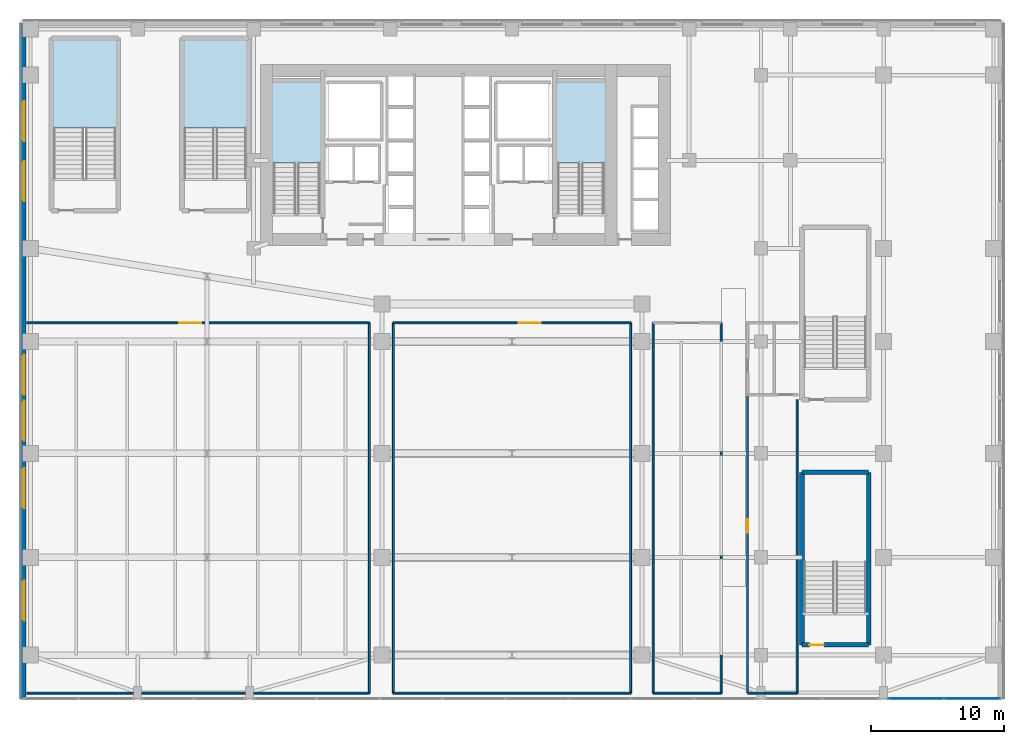
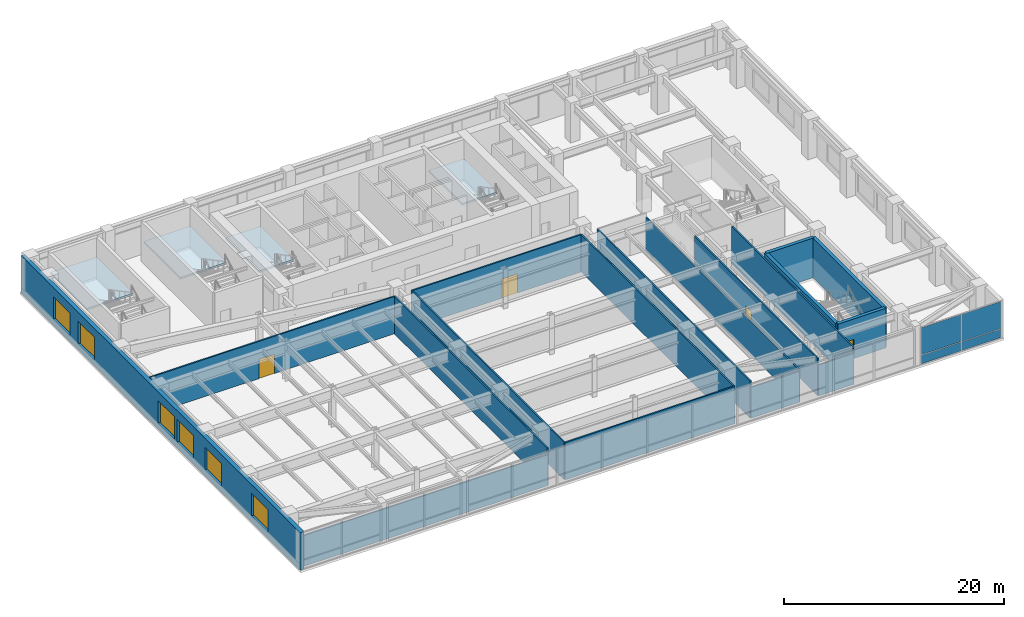
# One storey, part 18 of 27: 18 walls, 6 windows, 4 doors, 4 plates, 4 slabs, 10 openings, 5 elements without a shape of their own.
"""IFC4 building model written with IfcOpenShell, lengths in metres."""

from ifc_helpers import new_model, si_unit, direction, frame, frame_2d, origin, origin_2d, place, context, subcontext, project, spatial, polyline, rectangle, outline, extrude, source, transform, mapped, material, layer, layer_set, type_object, type_shapes, element, fill, aggregate, save


model = new_model("IFC4")

# Units and contexts
model_context = context("Model", 3, precision=1e-05, world=origin(), true_north=direction((0.0, 1.0)))
body_context = subcontext(model_context, "Body", "Model", "MODEL_VIEW")
ifc_project = project(units=[si_unit("LENGTHUNIT", "METRE"), si_unit("AREAUNIT", "SQUARE_METRE"), si_unit("VOLUMEUNIT", "CUBIC_METRE"), si_unit("PLANEANGLEUNIT", "RADIAN"), si_unit("MASSUNIT", "GRAM", prefix="KILO")], contexts=[model_context])

# Site, building, storey
site_placement = place(None, origin())
site = spatial("IfcSite", under=ifc_project, at=site_placement, CompositionType="ELEMENT")
building_placement = place(site_placement, origin())
building = spatial("IfcBuilding", under=site, at=building_placement, Name="Tolvann Quenvar Hotel", CompositionType="ELEMENT")
storey_placement = place(building_placement, frame((0.0, 0.0, 22.39990234375)))
storey = spatial("IfcBuildingStorey", under=building, at=storey_placement, Name="L04", CompositionType="ELEMENT", Elevation=22.39990234375)

# Stair, slab
ifc_material_1 = material(Name="Concrete N40 (40 MPa)", Category="concrete")
stair_type = type_object("IfcStairType", Name="STAIR", PredefinedType="HALF_TURN_STAIR", material=ifc_material_1)
stair_1_placement = place(storey_placement, origin())
stair_1 = element("IfcStair", 1, at=stair_1_placement, inside=storey, type_object=stair_type, Name="L04 ST-C1", PredefinedType="HALF_TURN_STAIR")
ifc_layer_1 = layer(ifc_material_1, 0.199951171875)
ifc_layer_set_1 = layer_set([ifc_layer_1], Name="Concrete N40 (40 MPa)")
slab_type = type_object("IfcSlabType", Name="SLAB_LANDING", PredefinedType="LANDING", material=ifc_layer_set_1)
slab_1_placement = place(storey_placement, frame((0.0, 0.0, 2.0)))
slab_1 = element("IfcSlab", 2, at=slab_1_placement, type_object=slab_type, Name="ST-C1 landing 1", PredefinedType="LANDING", context=body_context, shape_type="SweptSolid", body=[
    extrude(outline(polyline([(14.179931640625, 37.794921875), (14.179931640625, 43.8798828125), (10.469970703125, 43.8798828125), (10.469970703125, 37.794921875), (14.179931640625, 37.794921875)])), origin(), (0.0, 0.0, 1.0), 0.2001953125),
])
aggregate(stair_1, [slab_1])

stair_2_placement = place(storey_placement, origin())
stair_2 = element("IfcStair", 3, at=stair_2_placement, inside=storey, type_object=stair_type, Name="L04 ST-C2", PredefinedType="HALF_TURN_STAIR")
slab_2_placement = place(storey_placement, frame((0.0, 0.0, 2.0)))
slab_2 = element("IfcSlab", 4, at=slab_2_placement, type_object=slab_type, Name="ST-C2 landing 1", PredefinedType="LANDING", context=body_context, shape_type="SweptSolid", body=[
    extrude(outline(polyline([(35.530029296875, 37.794921875), (35.530029296875, 43.8798828125), (31.820068359375, 43.8798828125), (31.820068359375, 37.794921875), (35.530029296875, 37.794921875)])), origin(), (0.0, 0.0, 1.0), 0.2001953125),
])
aggregate(stair_2, [slab_2])

stair_3_placement = place(storey_placement, origin())
stair_3 = element("IfcStair", 5, at=stair_3_placement, inside=storey, type_object=stair_type, Name="L04 ST-P1", PredefinedType="HALF_TURN_STAIR")
slab_3_placement = place(storey_placement, frame((0.0, 0.0, 2.0)))
slab_3 = element("IfcSlab", 6, at=slab_3_placement, type_object=slab_type, Name="ST-P1 landing 1", PredefinedType="LANDING", context=body_context, shape_type="SweptSolid", body=[
    extrude(outline(polyline([(-1.1201171875, 40.445068359375), (-1.1201171875, 47.080078125), (-6.030029296875, 47.080078125), (-6.030029296875, 40.445068359375), (-1.1201171875, 40.445068359375)])), origin(), (0.0, 0.0, 1.0), 0.2001953125),
])
aggregate(stair_3, [slab_3])

stair_4_placement = place(storey_placement, origin())
stair_4 = element("IfcStair", 7, at=stair_4_placement, inside=storey, type_object=stair_type, Name="L04 ST-P2", PredefinedType="HALF_TURN_STAIR")
slab_4_placement = place(storey_placement, frame((0.0, 0.0, 2.0)))
slab_4 = element("IfcSlab", 8, at=slab_4_placement, type_object=slab_type, Name="ST-P2 landing 1", PredefinedType="LANDING", context=body_context, shape_type="SweptSolid", body=[
    extrude(outline(polyline([(8.679931640625, 40.445068359375), (8.679931640625, 47.080078125), (3.77001953125, 47.080078125), (3.77001953125, 40.445068359375), (8.679931640625, 40.445068359375)])), origin(), (0.0, 0.0, 1.0), 0.2001953125),
])
aggregate(stair_4, [slab_4])

# Curtain wall, plates
ifc_material_2 = material(Name="Thermally broken anodised architectural aluminium 6063-T6 and laminated low-E glass", Category="aluminium")
ifc_layer_2 = layer(ifc_material_2, 0.179931640625)
ifc_layer_set_2 = layer_set([ifc_layer_2], Name="Thermally broken anodised architectural aluminium 6063-T6 and laminated low-E glass")
curtain_wall_type = type_object("IfcCurtainWallType", Name="CW_SYS_BALL_02", PredefinedType="USERDEFINED", material=ifc_layer_set_2)
curtain_wall_placement = place(storey_placement, origin())
curtain_wall = element("IfcCurtainWall", 9, at=curtain_wall_placement, inside=storey, type_object=curtain_wall_type, Name="Curtain Wall CW-BALL-02 (CWR-L04-E04-S5)", ObjectType="UNITISED CURTAIN WALL", PredefinedType="USERDEFINED")
ifc_material_3 = material(Name="Low-iron laminated double glazing with solar-control coating", Category="glass")
ifc_layer_3 = layer(ifc_material_3, 0.028076171875)
ifc_layer_set_3 = layer_set([ifc_layer_3], Name="Low-iron laminated double glazing with solar-control coating")
plate_type = type_object("IfcPlateType", Name="CW_PAN_VISION_28", PredefinedType="CURTAIN_PANEL", material=ifc_layer_set_3)
shared_shape_1 = source(origin(), body_context, "Body", "SweptSolid", [
    extrude(rectangle(XDim=4.137939453125, YDim=0.028076171875, at=origin_2d()), origin(), (0.0, 0.0, 1.0), 0.9599609375),
])
plate_1_placement = place(storey_placement, frame((58.843017578125, -2.409912109375, 0.06005859375), z_axis=(0.0, 0.0, 1.0), x_axis=(1.0, 0.0, 0.0)))
plate_1 = element("IfcPlate", 10, at=plate_1_placement, type_object=plate_type, Name="CW-BALL-02 panel 1.1", PredefinedType="CURTAIN_PANEL", context=body_context, shape_type="MappedRepresentation", body=[
    mapped(shared_shape_1, transform((0.0, 0.0, 0.0), x_axis=(1.0, 0.0, 0.0), y_axis=(0.0, 1.0, 0.0), z_axis=(0.0, 0.0, 1.0), scale=1.0)),
])
plate_2_placement = place(storey_placement, frame((63.051025390625, -2.409912109375, 0.06005859375), z_axis=(0.0, 0.0, 1.0), x_axis=(1.0, 0.0, 0.0)))
plate_2 = element("IfcPlate", 11, at=plate_2_placement, type_object=plate_type, Name="CW-BALL-02 panel 2.1", PredefinedType="CURTAIN_PANEL", context=body_context, shape_type="MappedRepresentation", body=[
    mapped(shared_shape_1, transform((0.0, 0.0, 0.0), x_axis=(1.0, 0.0, 0.0), y_axis=(0.0, 1.0, 0.0), z_axis=(0.0, 0.0, 1.0), scale=1.0)),
])
shared_shape_2 = source(origin(), body_context, "Body", "SweptSolid", [
    extrude(rectangle(XDim=4.137939453125, YDim=0.028076171875, at=origin_2d()), origin(), (0.0, 0.0, 1.0), 3.0),
])
type_shapes(plate_type, [shared_shape_1, shared_shape_2])
plate_3_placement = place(storey_placement, frame((58.843017578125, -2.409912109375, 1.080078125), z_axis=(0.0, 0.0, 1.0), x_axis=(1.0, 0.0, 0.0)))
plate_3 = element("IfcPlate", 12, at=plate_3_placement, type_object=plate_type, Name="CW-BALL-02 panel 1.2", PredefinedType="CURTAIN_PANEL", context=body_context, shape_type="MappedRepresentation", body=[
    mapped(shared_shape_2, transform((0.0, 0.0, 0.0), x_axis=(1.0, 0.0, 0.0), y_axis=(0.0, 1.0, 0.0), z_axis=(0.0, 0.0, 1.0), scale=1.0)),
])
plate_4_placement = place(storey_placement, frame((63.051025390625, -2.409912109375, 1.080078125), z_axis=(0.0, 0.0, 1.0), x_axis=(1.0, 0.0, 0.0)))
plate_4 = element("IfcPlate", 13, at=plate_4_placement, type_object=plate_type, Name="CW-BALL-02 panel 2.2", PredefinedType="CURTAIN_PANEL", context=body_context, shape_type="MappedRepresentation", body=[
    mapped(shared_shape_2, transform((0.0, 0.0, 0.0), x_axis=(1.0, 0.0, 0.0), y_axis=(0.0, 1.0, 0.0), z_axis=(0.0, 0.0, 1.0), scale=1.0)),
])
aggregate(curtain_wall, [plate_1, plate_3, plate_2, plate_4])

# Wall, opening, door
ifc_material_4 = material(Name="Concrete S65 (65 MPa)", Category="concrete")
ifc_layer_4 = layer(ifc_material_4, 0.35009765625)
ifc_layer_set_4 = layer_set([ifc_layer_4], Name="Concrete S65 (65 MPa)")
wall_type_1 = type_object("IfcWallType", Name="WALL_CORE_INT_350", PredefinedType="SHEAR", material=ifc_layer_set_4)
wall_1_placement = place(storey_placement, frame((50.27490234375, 1.625, 0.0), z_axis=(0.0, 0.0, 1.0), x_axis=(1.0, 0.0, 0.0)))
wall_1 = element("IfcWall", 14, at=wall_1_placement, inside=storey, type_object=wall_type_1, Name="Stairwell ST-P3 Structural Shaft Wall S (L04)", PredefinedType="SHEAR", context=body_context, shape_type="SweptSolid", body=[
    extrude(rectangle(XDim=5.0, YDim=0.35009765625, at=frame_2d((2.5, 0.0))), origin(), (0.0, 0.0, 1.0), 4.400146484375),
])
opening_1_placement = place(wall_1_placement, frame((0.550048828125, 0.0, 0.0)))
opening_1 = element("IfcOpeningElement", 15, at=opening_1_placement, cuts=wall_1, Name="Opening FD-120", PredefinedType="OPENING", context=body_context, shape_type="SweptSolid", body=[
    extrude(rectangle(XDim=1.10009765625, YDim=2.1201171875, at=frame_2d((0.550048828125, 1.06005859375))), frame((0.0, 0.18505859375, 0.0), z_axis=(0.0, -1.0, 0.0), x_axis=(1.0, 0.0, 0.0)), (0.0, 0.0, 1.0), 0.3701171875),
])
ifc_material_5 = material(Name="Pressed galvanised steel fire-rated door set", Category="steel")
door_type_1 = type_object("IfcDoorType", Name="DOOR_FIRE_STAIR_1100", OperationType="NOTDEFINED", PredefinedType="DOOR", material=ifc_material_5)
shared_shape_3 = source(origin(), body_context, "Body", "SweptSolid", [
    extrude(rectangle(XDim=1.10009765625, YDim=2.1201171875, at=frame_2d((0.550048828125, 1.06005859375))), frame((0.0, 0.02490234375, 0.0), z_axis=(0.0, -1.0, 0.0), x_axis=(1.0, 0.0, 0.0)), (0.0, 0.0, 1.0), 0.050048828125),
])
type_shapes(door_type_1, [shared_shape_3])
door_1_placement = place(opening_1_placement, origin())
door_1 = element("IfcDoor", 16, at=door_1_placement, inside=storey, type_object=door_type_1, Name="Exit Stair ST-P3 Fire Door (L04)", OperationType="SINGLE_SWING_RIGHT", OverallHeight=2.1201171875, OverallWidth=1.10009765625, PredefinedType="DOOR", context=body_context, shape_type="MappedRepresentation", body=[
    mapped(shared_shape_3, transform((0.0, 0.0, 0.0), x_axis=(1.0, 0.0, 0.0), y_axis=(0.0, 1.0, 0.0), z_axis=(0.0, 0.0, 1.0), scale=1.0)),
])
fill(opening_1, door_1)

# Walls
wall_2_placement = place(storey_placement, frame((55.27490234375, 1.625, 0.0), z_axis=(0.0, 0.0, 1.0), x_axis=(0.0, 1.0, 0.0)))
element("IfcWall", 17, at=wall_2_placement, inside=storey, type_object=wall_type_1, Name="Stairwell ST-P3 Structural Shaft Wall E (L04)", PredefinedType="SHEAR", context=body_context, shape_type="SweptSolid", body=[
    extrude(rectangle(XDim=12.949951171875, YDim=0.35009765625, at=frame_2d((6.47509765625, 0.0))), origin(), (0.0, 0.0, 1.0), 4.400146484375),
])
wall_3_placement = place(storey_placement, frame((55.27490234375, 14.574951171875, 0.0), z_axis=(0.0, 0.0, 1.0), x_axis=(-1.0, 0.0, 0.0)))
element("IfcWall", 18, at=wall_3_placement, inside=storey, type_object=wall_type_1, Name="Stairwell ST-P3 Structural Shaft Wall N (L04)", PredefinedType="SHEAR", context=body_context, shape_type="SweptSolid", body=[
    extrude(rectangle(XDim=5.0, YDim=0.35009765625, at=frame_2d((2.5, 0.0))), origin(), (0.0, 0.0, 1.0), 4.400146484375),
])
wall_4_placement = place(storey_placement, frame((50.27490234375, 14.574951171875, 0.0), z_axis=(0.0, 0.0, 1.0), x_axis=(0.0, -1.0, 0.0)))
element("IfcWall", 19, at=wall_4_placement, inside=storey, type_object=wall_type_1, Name="Stairwell ST-P3 Structural Shaft Wall W (L04)", PredefinedType="SHEAR", context=body_context, shape_type="SweptSolid", body=[
    extrude(rectangle(XDim=12.949951171875, YDim=0.35009765625, at=frame_2d((6.47509765625, 0.0))), origin(), (0.0, 0.0, 1.0), 4.400146484375),
])

# Wall, openings, windows
ifc_material_6 = material(Name="Kiln-fired red and buff architectural clay brickwork and terracotta masonry", Category="masonry")
ifc_layer_5 = layer(ifc_material_6, 0.419921875)
ifc_layer_set_5 = layer_set([ifc_layer_5], Name="Kiln-fired red and buff architectural clay brickwork and terracotta masonry")
wall_type_2 = type_object("IfcWallType", Name="WALL_EXT_POD_420", PredefinedType="SOLIDWALL", material=ifc_layer_set_5)
wall_5_placement = place(storey_placement, frame((-8.18994140625, 48.2900390625, 0.0), z_axis=(0.0, 0.0, 1.0), x_axis=(0.0, -1.0, 0.0)))
wall_5 = element("IfcWall", 20, at=wall_5_placement, inside=storey, type_object=wall_type_2, Name="Exterior Chicago Brick Wall L04-E03", PredefinedType="SOLIDWALL", context=body_context, shape_type="SweptSolid", body=[
    extrude(rectangle(XDim=50.699951171875, YDim=0.419921875, at=frame_2d((25.35009765625, 0.0))), origin(), (0.0, 0.0, 1.0), 4.14013671875),
])
opening_2_placement = place(wall_5_placement, frame((5.85009765625, 0.0, 0.64990234375)))
opening_2 = element("IfcOpeningElement", 21, at=opening_2_placement, cuts=wall_5, Name="Opening W-05", PredefinedType="OPENING", context=body_context, shape_type="SweptSolid", body=[
    extrude(rectangle(XDim=3.0, YDim=2.5, at=frame_2d((1.5, 1.25))), frame((0.0, 0.219970703125, 0.0), z_axis=(0.0, -1.0, 0.0), x_axis=(1.0, 0.0, 0.0)), (0.0, 0.0, 1.0), 0.43994140625),
])
opening_3_placement = place(wall_5_placement, frame((10.35009765625, 0.0, 0.64990234375)))
opening_3 = element("IfcOpeningElement", 22, at=opening_3_placement, cuts=wall_5, Name="Opening W-05", PredefinedType="OPENING", context=body_context, shape_type="SweptSolid", body=[
    extrude(rectangle(XDim=3.0, YDim=2.5, at=frame_2d((1.5, 1.25))), frame((0.0, 0.219970703125, 0.0), z_axis=(0.0, -1.0, 0.0), x_axis=(1.0, 0.0, 0.0)), (0.0, 0.0, 1.0), 0.43994140625),
])
opening_4_placement = place(wall_5_placement, frame((24.89990234375, 0.0, 0.64990234375)))
opening_4 = element("IfcOpeningElement", 23, at=opening_4_placement, cuts=wall_5, Name="Opening W-05", PredefinedType="OPENING", context=body_context, shape_type="SweptSolid", body=[
    extrude(rectangle(XDim=3.0, YDim=2.5, at=frame_2d((1.5, 1.25))), frame((0.0, 0.219970703125, 0.0), z_axis=(0.0, -1.0, 0.0), x_axis=(1.0, 0.0, 0.0)), (0.0, 0.0, 1.0), 0.43994140625),
])
opening_5_placement = place(wall_5_placement, frame((28.35009765625, 0.0, 0.64990234375)))
opening_5 = element("IfcOpeningElement", 24, at=opening_5_placement, cuts=wall_5, Name="Opening W-05", PredefinedType="OPENING", context=body_context, shape_type="SweptSolid", body=[
    extrude(rectangle(XDim=3.0, YDim=2.5, at=frame_2d((1.5, 1.25))), frame((0.0, 0.219970703125, 0.0), z_axis=(0.0, -1.0, 0.0), x_axis=(1.0, 0.0, 0.0)), (0.0, 0.0, 1.0), 0.43994140625),
])
opening_6_placement = place(wall_5_placement, frame((33.39990234375, 0.0, 0.64990234375)))
opening_6 = element("IfcOpeningElement", 25, at=opening_6_placement, cuts=wall_5, Name="Opening W-05", PredefinedType="OPENING", context=body_context, shape_type="SweptSolid", body=[
    extrude(rectangle(XDim=3.0, YDim=2.5, at=frame_2d((1.5, 1.25))), frame((0.0, 0.219970703125, 0.0), z_axis=(0.0, -1.0, 0.0), x_axis=(1.0, 0.0, 0.0)), (0.0, 0.0, 1.0), 0.43994140625),
])
opening_7_placement = place(wall_5_placement, frame((41.85009765625, 0.0, 0.64990234375)))
opening_7 = element("IfcOpeningElement", 26, at=opening_7_placement, cuts=wall_5, Name="Opening W-05", PredefinedType="OPENING", context=body_context, shape_type="SweptSolid", body=[
    extrude(rectangle(XDim=3.0, YDim=2.5, at=frame_2d((1.5, 1.25))), frame((0.0, 0.219970703125, 0.0), z_axis=(0.0, -1.0, 0.0), x_axis=(1.0, 0.0, 0.0)), (0.0, 0.0, 1.0), 0.43994140625),
])
ifc_material_7 = material(Name="Thermally broken bronze-anodised aluminium frame with double low-E glazing", Category="aluminium")
window_type = type_object("IfcWindowType", Name="WIN_POD_3000x2600", PartitioningType="TRIPLE_PANEL_HORIZONTAL", PredefinedType="WINDOW", material=ifc_material_7)
shared_shape_4 = source(origin(), body_context, "Body", "SweptSolid", [
    extrude(rectangle(XDim=3.0, YDim=2.5, at=frame_2d((1.5, 1.25))), frame((0.0, 0.090087890625, 0.0), z_axis=(0.0, -1.0, 0.0), x_axis=(1.0, 0.0, 0.0)), (0.0, 0.0, 1.0), 0.06005859375),
])
type_shapes(window_type, [shared_shape_4])
window_1_placement = place(opening_2_placement, origin())
window_1 = element("IfcWindow", 27, at=window_1_placement, inside=storey, type_object=window_type, Name="Chicago Window W-05 (EW-L04-E03-W01)", OverallHeight=2.5, OverallWidth=3.0, PartitioningType="TRIPLE_PANEL_HORIZONTAL", PredefinedType="WINDOW", context=body_context, shape_type="MappedRepresentation", body=[
    mapped(shared_shape_4, transform((0.0, 0.0, 0.0), x_axis=(1.0, 0.0, 0.0), y_axis=(0.0, 1.0, 0.0), z_axis=(0.0, 0.0, 1.0), scale=1.0)),
])
fill(opening_2, window_1)
window_2_placement = place(opening_3_placement, origin())
window_2 = element("IfcWindow", 28, at=window_2_placement, inside=storey, type_object=window_type, Name="Chicago Window W-05 (EW-L04-E03-W02)", OverallHeight=2.5, OverallWidth=3.0, PartitioningType="TRIPLE_PANEL_HORIZONTAL", PredefinedType="WINDOW", context=body_context, shape_type="MappedRepresentation", body=[
    mapped(shared_shape_4, transform((0.0, 0.0, 0.0), x_axis=(1.0, 0.0, 0.0), y_axis=(0.0, 1.0, 0.0), z_axis=(0.0, 0.0, 1.0), scale=1.0)),
])
fill(opening_3, window_2)
window_3_placement = place(opening_4_placement, origin())
window_3 = element("IfcWindow", 29, at=window_3_placement, inside=storey, type_object=window_type, Name="Chicago Window W-05 (EW-L04-E03-W03)", OverallHeight=2.5, OverallWidth=3.0, PartitioningType="TRIPLE_PANEL_HORIZONTAL", PredefinedType="WINDOW", context=body_context, shape_type="MappedRepresentation", body=[
    mapped(shared_shape_4, transform((0.0, 0.0, 0.0), x_axis=(1.0, 0.0, 0.0), y_axis=(0.0, 1.0, 0.0), z_axis=(0.0, 0.0, 1.0), scale=1.0)),
])
fill(opening_4, window_3)
window_4_placement = place(opening_5_placement, origin())
window_4 = element("IfcWindow", 30, at=window_4_placement, inside=storey, type_object=window_type, Name="Chicago Window W-05 (EW-L04-E03-W04)", OverallHeight=2.5, OverallWidth=3.0, PartitioningType="TRIPLE_PANEL_HORIZONTAL", PredefinedType="WINDOW", context=body_context, shape_type="MappedRepresentation", body=[
    mapped(shared_shape_4, transform((0.0, 0.0, 0.0), x_axis=(1.0, 0.0, 0.0), y_axis=(0.0, 1.0, 0.0), z_axis=(0.0, 0.0, 1.0), scale=1.0)),
])
fill(opening_5, window_4)
window_5_placement = place(opening_6_placement, origin())
window_5 = element("IfcWindow", 31, at=window_5_placement, inside=storey, type_object=window_type, Name="Chicago Window W-05 (EW-L04-E03-W05)", OverallHeight=2.5, OverallWidth=3.0, PartitioningType="TRIPLE_PANEL_HORIZONTAL", PredefinedType="WINDOW", context=body_context, shape_type="MappedRepresentation", body=[
    mapped(shared_shape_4, transform((0.0, 0.0, 0.0), x_axis=(1.0, 0.0, 0.0), y_axis=(0.0, 1.0, 0.0), z_axis=(0.0, 0.0, 1.0), scale=1.0)),
])
fill(opening_6, window_5)
window_6_placement = place(opening_7_placement, origin())
window_6 = element("IfcWindow", 32, at=window_6_placement, inside=storey, type_object=window_type, Name="Chicago Window W-05 (EW-L04-E03-W06)", OverallHeight=2.5, OverallWidth=3.0, PartitioningType="TRIPLE_PANEL_HORIZONTAL", PredefinedType="WINDOW", context=body_context, shape_type="MappedRepresentation", body=[
    mapped(shared_shape_4, transform((0.0, 0.0, 0.0), x_axis=(1.0, 0.0, 0.0), y_axis=(0.0, 1.0, 0.0), z_axis=(0.0, 0.0, 1.0), scale=1.0)),
])
fill(opening_7, window_6)

# Wall
ifc_material_8 = material(Name="Acoustic twin-stud fire-rated gypsum plasterboard partition")
ifc_layer_6 = layer(ifc_material_8, 0.14990234375)
ifc_layer_set_6 = layer_set([ifc_layer_6], Name="Acoustic twin-stud fire-rated gypsum plasterboard partition")
wall_type_3 = type_object("IfcWallType", Name="WALL_PART_SUITE_150", PredefinedType="PARTITIONING", material=ifc_layer_set_6)
wall_6_placement = place(storey_placement, frame((-7.925048828125, -2.0, 0.0), z_axis=(0.0, 0.0, 1.0), x_axis=(1.0, 0.0, 0.0)))
element("IfcWall", 33, at=wall_6_placement, inside=storey, type_object=wall_type_3, Name="Interior Partition PT-SPC-L04-GRIL-S", PredefinedType="PARTITIONING", context=body_context, shape_type="SweptSolid", body=[
    extrude(rectangle(XDim=25.72509765625, YDim=0.14990234375, at=frame_2d((12.862548828125, 0.0))), origin(), (0.0, 0.0, 1.0), 3.43017578125),
])

# Wall, opening, door
wall_7_placement = place(storey_placement, frame((-7.925048828125, 25.800048828125, 0.0), z_axis=(0.0, 0.0, 1.0), x_axis=(1.0, 0.0, 0.0)))
wall_7 = element("IfcWall", 34, at=wall_7_placement, inside=storey, type_object=wall_type_3, Name="Interior Partition PT-SPC-L04-GRIL-N", PredefinedType="PARTITIONING", context=body_context, shape_type="SweptSolid", body=[
    extrude(rectangle(XDim=25.72509765625, YDim=0.14990234375, at=frame_2d((12.862548828125, 0.0))), origin(), (0.0, 0.0, 1.0), 4.14013671875),
])
opening_8_placement = place(wall_7_placement, frame((11.4375, 0.0, 0.0)))
opening_8 = element("IfcOpeningElement", 35, at=opening_8_placement, cuts=wall_7, Name="Opening AD-01", PredefinedType="OPENING", context=body_context, shape_type="SweptSolid", body=[
    extrude(rectangle(XDim=1.64990234375, YDim=2.14990234375, at=frame_2d((0.824951171875, 1.074951171875))), frame((0.0, 0.0849609375, 0.0), z_axis=(0.0, -1.0, 0.0), x_axis=(1.0, 0.0, 0.0)), (0.0, 0.0, 1.0), 0.169921875),
])
ifc_material_9 = material(Name="Solid-core American oak acoustic fire door leaf in steel frame", Category="steel")
door_type_2 = type_object("IfcDoorType", Name="DOOR_SALON_1650", OperationType="NOTDEFINED", PredefinedType="DOOR", material=ifc_material_9)
shared_shape_5 = source(origin(), body_context, "Body", "SweptSolid", [
    extrude(rectangle(XDim=1.64990234375, YDim=2.14990234375, at=frame_2d((0.824951171875, 1.074951171875))), frame((0.0, 0.02490234375, 0.0), z_axis=(0.0, -1.0, 0.0), x_axis=(1.0, 0.0, 0.0)), (0.0, 0.0, 1.0), 0.050048828125),
])
type_shapes(door_type_2, [shared_shape_5])
door_2_placement = place(opening_8_placement, origin())
door_2 = element("IfcDoor", 36, at=door_2_placement, inside=storey, type_object=door_type_2, Name="Interior Door DOOR-SPC-L04-GRIL", OperationType="DOUBLE_DOOR_SINGLE_SWING", OverallHeight=2.14990234375, OverallWidth=1.64990234375, PredefinedType="DOOR", context=body_context, shape_type="MappedRepresentation", body=[
    mapped(shared_shape_5, transform((0.0, 0.0, 0.0), x_axis=(1.0, 0.0, 0.0), y_axis=(0.0, 1.0, 0.0), z_axis=(0.0, 0.0, 1.0), scale=1.0)),
])
fill(opening_8, door_2)

# Walls
wall_8_placement = place(storey_placement, frame((17.800048828125, -2.0, 0.0), z_axis=(0.0, 0.0, 1.0), x_axis=(0.0, 1.0, 0.0)))
element("IfcWall", 37, at=wall_8_placement, inside=storey, type_object=wall_type_3, Name="Interior Partition PT-SPC-L04-GRIL-E", PredefinedType="PARTITIONING", context=body_context, shape_type="SweptSolid", body=[
    extrude(rectangle(XDim=27.800048828125, YDim=0.14990234375, at=frame_2d((13.89990234375, 0.0))), origin(), (0.0, 0.0, 1.0), 4.14013671875),
])
wall_9_placement = place(storey_placement, frame((19.60009765625, -2.0, 0.0), z_axis=(0.0, 0.0, 1.0), x_axis=(1.0, 0.0, 0.0)))
element("IfcWall", 38, at=wall_9_placement, inside=storey, type_object=wall_type_3, Name="Interior Partition PT-SPC-L04-ARCH-S", PredefinedType="PARTITIONING", context=body_context, shape_type="SweptSolid", body=[
    extrude(rectangle(XDim=17.7998046875, YDim=0.14990234375, at=frame_2d((8.89990234375, 0.0))), origin(), (0.0, 0.0, 1.0), 4.14013671875),
])

# Wall, opening, door
wall_10_placement = place(storey_placement, frame((19.60009765625, 25.800048828125, 0.0), z_axis=(0.0, 0.0, 1.0), x_axis=(1.0, 0.0, 0.0)))
wall_10 = element("IfcWall", 39, at=wall_10_placement, inside=storey, type_object=wall_type_3, Name="Interior Partition PT-SPC-L04-ARCH-N", PredefinedType="PARTITIONING", context=body_context, shape_type="SweptSolid", body=[
    extrude(rectangle(XDim=17.7998046875, YDim=0.14990234375, at=frame_2d((8.89990234375, 0.0))), origin(), (0.0, 0.0, 1.0), 4.14013671875),
])
opening_9_placement = place(wall_10_placement, frame((9.425048828125, 0.0, 0.0)))
opening_9 = element("IfcOpeningElement", 40, at=opening_9_placement, cuts=wall_10, Name="Opening AD-01", PredefinedType="OPENING", context=body_context, shape_type="SweptSolid", body=[
    extrude(rectangle(XDim=1.64990234375, YDim=2.14990234375, at=frame_2d((0.824951171875, 1.074951171875))), frame((0.0, 0.0849609375, 0.0), z_axis=(0.0, -1.0, 0.0), x_axis=(1.0, 0.0, 0.0)), (0.0, 0.0, 1.0), 0.169921875),
])
door_3_placement = place(opening_9_placement, origin())
door_3 = element("IfcDoor", 41, at=door_3_placement, inside=storey, type_object=door_type_2, Name="Interior Door DOOR-SPC-L04-ARCH", OperationType="DOUBLE_DOOR_SINGLE_SWING", OverallHeight=2.14990234375, OverallWidth=1.64990234375, PredefinedType="DOOR", context=body_context, shape_type="MappedRepresentation", body=[
    mapped(shared_shape_5, transform((0.0, 0.0, 0.0), x_axis=(1.0, 0.0, 0.0), y_axis=(0.0, 1.0, 0.0), z_axis=(0.0, 0.0, 1.0), scale=1.0)),
])
fill(opening_9, door_3)

# Walls
for number, where, z_axis, x_axis, name in (
    (42, (19.60009765625, -2.0, 0.0), (0.0, 0.0, 1.0), (0.0, 1.0, 0.0), "Interior Partition PT-SPC-L04-ARCH-W"),
    (43, (37.39990234375, -2.0, 0.0), (0.0, 0.0, 1.0), (0.0, 1.0, 0.0), "Interior Partition PT-SPC-L04-ARCH-E"),
):
    element("IfcWall", number, at=place(storey_placement, frame(where, z_axis=z_axis, x_axis=x_axis)), inside=storey, type_object=wall_type_3, Name=name, PredefinedType="PARTITIONING", context=body_context, shape_type="SweptSolid", body=[
        extrude(rectangle(XDim=27.800048828125, YDim=0.14990234375, at=frame_2d((13.89990234375, 0.0))), origin(), (0.0, 0.0, 1.0), 4.14013671875),
    ])
wall_11_placement = place(storey_placement, frame((39.10009765625, -2.0, 0.0), z_axis=(0.0, 0.0, 1.0), x_axis=(1.0, 0.0, 0.0)))
element("IfcWall", 44, at=wall_11_placement, inside=storey, type_object=wall_type_3, Name="Interior Partition PT-SPC-L04-CLUB-S", PredefinedType="PARTITIONING", context=body_context, shape_type="SweptSolid", body=[
    extrude(rectangle(XDim=5.099853515625, YDim=0.14990234375, at=frame_2d((2.5498046875, 0.0))), origin(), (0.0, 0.0, 1.0), 3.43017578125),
])
wall_12_placement = place(storey_placement, frame((39.10009765625, -2.0, 0.0), z_axis=(0.0, 0.0, 1.0), x_axis=(0.0, 1.0, 0.0)))
element("IfcWall", 45, at=wall_12_placement, inside=storey, type_object=wall_type_3, Name="Interior Partition PT-SPC-L04-CLUB-W", PredefinedType="PARTITIONING", context=body_context, shape_type="SweptSolid", body=[
    extrude(rectangle(XDim=27.800048828125, YDim=0.14990234375, at=frame_2d((13.89990234375, 0.0))), origin(), (0.0, 0.0, 1.0), 4.14013671875),
])
wall_13_placement = place(storey_placement, frame((44.199951171875, -2.0, 0.0), z_axis=(0.0, 0.0, 1.0), x_axis=(0.0, 1.0, 0.0)))
element("IfcWall", 46, at=wall_13_placement, inside=storey, type_object=wall_type_3, Name="Interior Partition PT-SPC-L04-CLUB-E", PredefinedType="PARTITIONING", context=body_context, shape_type="SweptSolid", body=[
    extrude(rectangle(XDim=27.800048828125, YDim=0.14990234375, at=frame_2d((13.89990234375, 0.0))), origin(), (0.0, 0.0, 1.0), 3.676025390625),
])
wall_14_placement = place(storey_placement, frame((46.199951171875, -2.0, 0.0), z_axis=(0.0, 0.0, 1.0), x_axis=(1.0, 0.0, 0.0)))
element("IfcWall", 47, at=wall_14_placement, inside=storey, type_object=wall_type_3, Name="Interior Partition PT-SPC-L04-CELL-S", PredefinedType="PARTITIONING", context=body_context, shape_type="SweptSolid", body=[
    extrude(rectangle(XDim=3.699951171875, YDim=0.14990234375, at=frame_2d((1.85009765625, 0.0))), origin(), (0.0, 0.0, 1.0), 3.43017578125),
])

# Wall, opening, door
wall_15_placement = place(storey_placement, frame((46.199951171875, -2.0, 0.0), z_axis=(0.0, 0.0, 1.0), x_axis=(0.0, 1.0, 0.0)))
wall_15 = element("IfcWall", 48, at=wall_15_placement, inside=storey, type_object=wall_type_3, Name="Interior Partition PT-SPC-L04-CELL-W", PredefinedType="PARTITIONING", context=body_context, shape_type="SweptSolid", body=[
    extrude(rectangle(XDim=22.39990234375, YDim=0.14990234375, at=frame_2d((11.199951171875, 0.0))), origin(), (0.0, 0.0, 1.0), 4.14013671875),
])
opening_10_placement = place(wall_15_placement, frame((12.0400390625, 0.0, 0.0)))
opening_10 = element("IfcOpeningElement", 49, at=opening_10_placement, cuts=wall_15, Name="Opening HD-01", PredefinedType="OPENING", context=body_context, shape_type="SweptSolid", body=[
    extrude(rectangle(XDim=1.02001953125, YDim=2.030029296875, at=frame_2d((0.510009765625, 1.01513671875))), frame((0.0, 0.0849609375, 0.0), z_axis=(0.0, -1.0, 0.0), x_axis=(1.0, 0.0, 0.0)), (0.0, 0.0, 1.0), 0.169921875),
])
door_type_3 = type_object("IfcDoorType", Name="DOOR_BOH_1020", OperationType="NOTDEFINED", PredefinedType="DOOR", material=ifc_material_5)
shared_shape_6 = source(origin(), body_context, "Body", "SweptSolid", [
    extrude(rectangle(XDim=1.02001953125, YDim=2.030029296875, at=frame_2d((0.510009765625, 1.01513671875))), frame((0.0, 0.02490234375, 0.0), z_axis=(0.0, -1.0, 0.0), x_axis=(1.0, 0.0, 0.0)), (0.0, 0.0, 1.0), 0.050048828125),
])
type_shapes(door_type_3, [shared_shape_6])
door_4_placement = place(opening_10_placement, origin())
door_4 = element("IfcDoor", 50, at=door_4_placement, inside=storey, type_object=door_type_3, Name="Interior Door DOOR-SPC-L04-CELL", OperationType="SINGLE_SWING_LEFT", OverallHeight=2.030029296875, OverallWidth=1.02001953125, PredefinedType="DOOR", context=body_context, shape_type="MappedRepresentation", body=[
    mapped(shared_shape_6, transform((0.0, 0.0, 0.0), x_axis=(1.0, 0.0, 0.0), y_axis=(0.0, 1.0, 0.0), z_axis=(0.0, 0.0, 1.0), scale=1.0)),
])
fill(opening_10, door_4)

# Wall
wall_16_placement = place(storey_placement, frame((49.89990234375, -2.0, 0.0), z_axis=(0.0, 0.0, 1.0), x_axis=(0.0, 1.0, 0.0)))
element("IfcWall", 51, at=wall_16_placement, inside=storey, type_object=wall_type_3, Name="Interior Partition PT-SPC-L04-CELL-E", PredefinedType="PARTITIONING", context=body_context, shape_type="SweptSolid", body=[
    extrude(rectangle(XDim=22.02490234375, YDim=0.14990234375, at=frame_2d((11.012451171875, 0.0))), origin(), (0.0, 0.0, 1.0), 4.14013671875),
])

save(model, "model.ifc")
